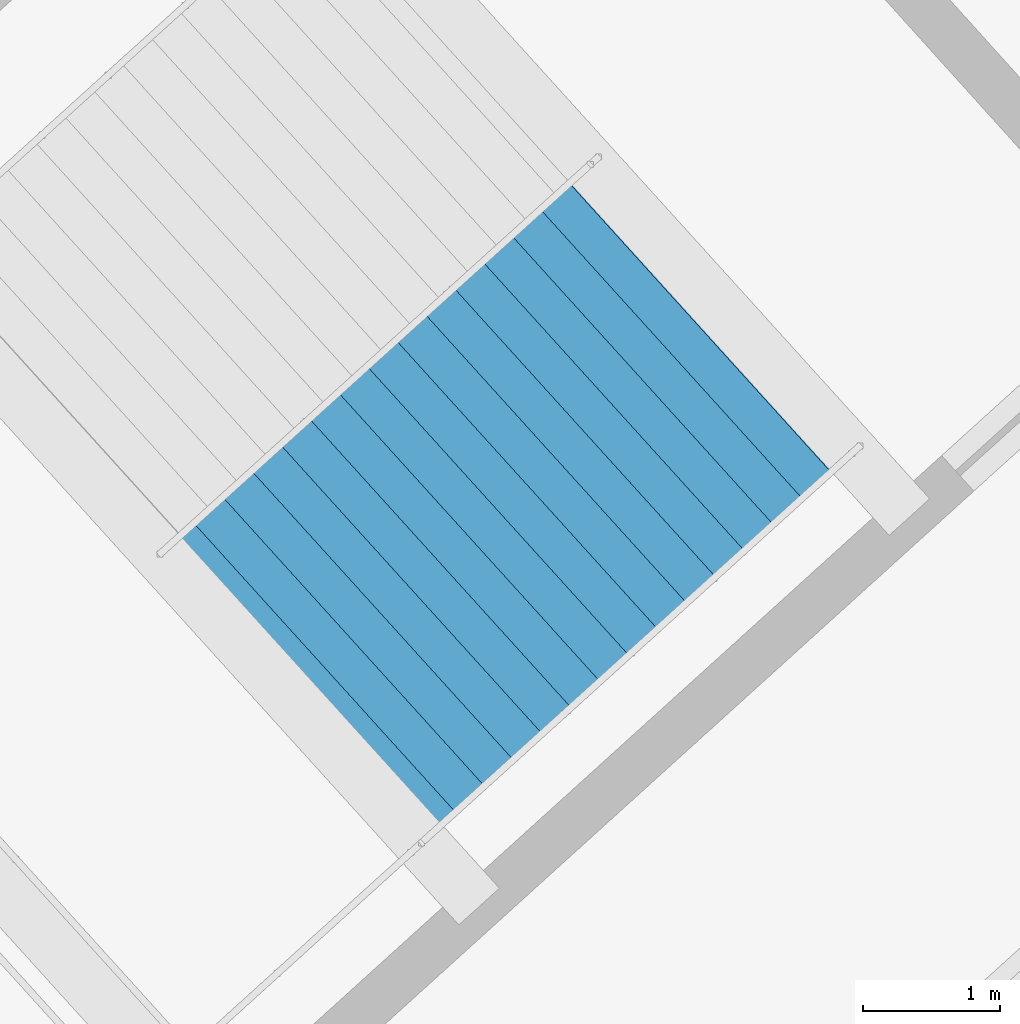
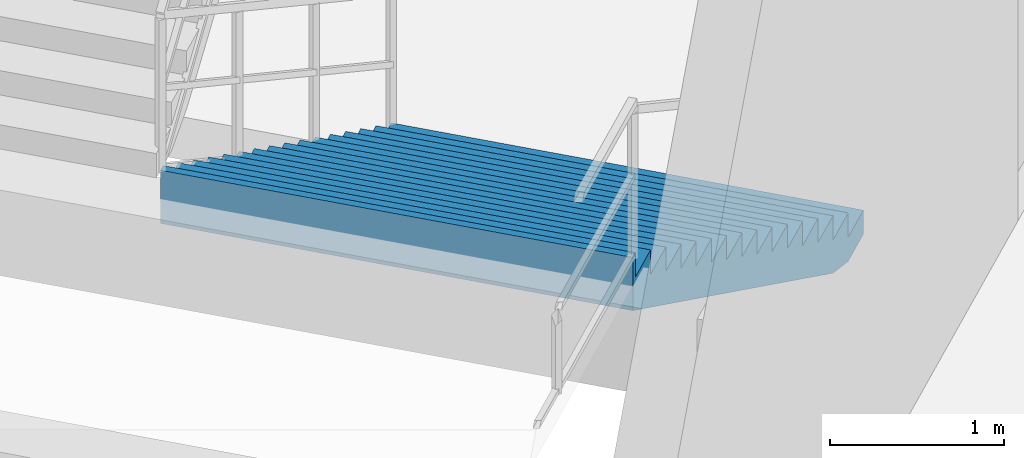
# One storey, part 159 of 186: 1 stair flight, 1 element without a shape of its own.
"""IFC4 building model written with IfcOpenShell, lengths in metres."""

from ifc_helpers import new_model, si_unit, direction, frame, origin, place, context, subcontext, project, spatial, polygons, material, type_object, element, aggregate, save


model = new_model("IFC4")

# Units and contexts
model_context = context("Model", 3, precision=1e-05, world=origin(), true_north=direction((0.0, 1.0)))
body_context = subcontext(model_context, "Body", "Model", "MODEL_VIEW")
ifc_project = project(units=[si_unit("LENGTHUNIT", "METRE"), si_unit("AREAUNIT", "SQUARE_METRE"), si_unit("VOLUMEUNIT", "CUBIC_METRE"), si_unit("PLANEANGLEUNIT", "RADIAN"), si_unit("MASSUNIT", "GRAM", prefix="KILO")], contexts=[model_context])

# Site, building, storey
site_placement = place(None, origin())
site = spatial("IfcSite", under=ifc_project, at=site_placement, CompositionType="ELEMENT")
building_placement = place(site_placement, origin())
building = spatial("IfcBuilding", under=site, at=building_placement, Name="Kazemori Nagisa Stadium", CompositionType="ELEMENT")
storey_placement = place(building_placement, frame((0.0, 0.0, 20.39990234375)))
storey = spatial("IfcBuildingStorey", under=building, at=storey_placement, Name="L04", CompositionType="ELEMENT", Elevation=20.39990234375)

# Stair, stair flight
ifc_material = material(Name="Concrete C36/45 (Fc36)", Category="concrete")
stair_type = type_object("IfcStairType", Name="Stair_CORE_32", PredefinedType="TWO_STRAIGHT_RUN_STAIR", material=ifc_material)
stair_placement = place(storey_placement, origin())
stair = element("IfcStair", 1, at=stair_placement, inside=storey, type_object=stair_type, Name="Exit stair ST02 L04", PredefinedType="TWO_STRAIGHT_RUN_STAIR")
stair_flight_type = type_object("IfcStairFlightType", Name="Flight_CORE_16", PredefinedType="STRAIGHT", material=ifc_material)
stair_flight_placement = place(storey_placement, frame((63.22412109375, 164.589599609375, 0.0), z_axis=(0.0, 0.0, 1.0), x_axis=(-0.741328742395, -0.671142083093, 0.0)))
stair_flight = element("IfcStairFlight", 2, at=stair_flight_placement, type_object=stair_flight_type, Name="Exit stair ST02 L04 flight 1", NumberOfRisers=16, NumberOfTreads=15, PredefinedType="STRAIGHT", RiserHeight=0.17, TreadLength=0.285, context=body_context, shape_type="Tessellation", body=[
    polygons([(0.0, -1.425048828125, 0.0), (0.0, -1.425048828125, 0.169921875), (0.284912109375, -1.425048828125, 0.169921875), (0.284912109375, -1.425048828125, 0.340087890625), (0.570068359375, -1.425048828125, 0.340087890625), (0.570068359375, -1.425048828125, 0.510009765625), (0.85498046875, -1.425048828125, 0.510009765625), (0.85498046875, -1.425048828125, 0.679931640625), (1.139892578125, -1.425048828125, 0.679931640625), (1.139892578125, -1.425048828125, 0.85009765625), (1.425048828125, -1.425048828125, 0.85009765625), (1.425048828125, -1.425048828125, 1.02001953125), (1.7099609375, -1.425048828125, 1.02001953125), (1.7099609375, -1.425048828125, 1.18994140625), (1.9951171875, -1.425048828125, 1.18994140625), (1.9951171875, -1.425048828125, 1.360107421875), (2.280029296875, -1.425048828125, 1.360107421875), (2.280029296875, -1.425048828125, 1.530029296875), (2.56494140625, -1.425048828125, 1.530029296875), (2.56494140625, -1.425048828125, 1.699951171875), (2.85009765625, -1.425048828125, 1.699951171875), (2.85009765625, -1.425048828125, 1.8701171875), (3.135009765625, -1.425048828125, 1.8701171875), (3.135009765625, -1.425048828125, 2.0400390625), (3.419921875, -1.425048828125, 2.0400390625), (3.419921875, -1.425048828125, 2.2099609375), (3.705078125, -1.425048828125, 2.2099609375), (3.705078125, -1.425048828125, 2.3798828125), (3.989990234375, -1.425048828125, 2.3798828125), (3.989990234375, -1.425048828125, 2.550048828125), (4.27490234375, -1.425048828125, 2.550048828125), (4.27490234375, -1.425048828125, 2.719970703125), (4.324951171875, -1.425048828125, 2.719970703125), (4.324951171875, -1.425048828125, 2.346923828125), (4.27490234375, -1.425048828125, 2.317138671875), (3.989990234375, -1.425048828125, 2.147216796875), (3.705078125, -1.425048828125, 1.977294921875), (3.419921875, -1.425048828125, 1.80712890625), (3.135009765625, -1.425048828125, 1.63720703125), (2.85009765625, -1.425048828125, 1.46728515625), (2.56494140625, -1.425048828125, 1.297119140625), (2.280029296875, -1.425048828125, 1.127197265625), (1.9951171875, -1.425048828125, 0.957275390625), (1.7099609375, -1.425048828125, 0.787109375), (1.425048828125, -1.425048828125, 0.6171875), (1.139892578125, -1.425048828125, 0.447265625), (0.85498046875, -1.425048828125, 0.277099609375), (0.570068359375, -1.425048828125, 0.107177734375), (0.284912109375, -1.425048828125, 0.0), (0.0, -0.08544921875, 0.0), (0.0, -0.08544921875, 0.169921875), (0.284912109375, -0.08544921875, 0.169921875), (0.284912109375, -0.08544921875, 0.340087890625), (0.570068359375, -0.08544921875, 0.340087890625), (0.570068359375, -0.08544921875, 0.510009765625), (0.85498046875, -0.08544921875, 0.510009765625), (0.85498046875, -0.08544921875, 0.679931640625), (1.139892578125, -0.08544921875, 0.679931640625), (1.139892578125, -0.08544921875, 0.85009765625), (1.425048828125, -0.08544921875, 0.85009765625), (1.425048828125, -0.08544921875, 1.02001953125), (1.7099609375, -0.08544921875, 1.02001953125), (1.7099609375, -0.08544921875, 1.18994140625), (1.9951171875, -0.08544921875, 1.18994140625), (1.9951171875, -0.08544921875, 1.360107421875), (2.280029296875, -0.08544921875, 1.360107421875), (2.280029296875, -0.08544921875, 1.530029296875), (2.56494140625, -0.08544921875, 1.530029296875), (2.56494140625, -0.08544921875, 1.699951171875), (2.85009765625, -0.08544921875, 1.699951171875), (2.85009765625, -0.08544921875, 1.8701171875), (3.135009765625, -0.08544921875, 1.8701171875), (3.135009765625, -0.08544921875, 2.0400390625), (3.419921875, -0.08544921875, 2.0400390625), (3.419921875, -0.08544921875, 2.2099609375), (3.705078125, -0.08544921875, 2.2099609375), (3.705078125, -0.08544921875, 2.3798828125), (3.989990234375, -0.08544921875, 2.3798828125), (3.989990234375, -0.08544921875, 2.550048828125), (4.27490234375, -0.08544921875, 2.550048828125), (4.27490234375, -0.08544921875, 2.719970703125), (4.324951171875, -0.08544921875, 2.719970703125), (4.324951171875, -0.08544921875, 2.346923828125), (4.27490234375, -0.08544921875, 2.317138671875), (3.989990234375, -0.08544921875, 2.147216796875), (3.705078125, -0.08544921875, 1.977294921875), (3.419921875, -0.08544921875, 1.80712890625), (3.135009765625, -0.08544921875, 1.63720703125), (2.85009765625, -0.08544921875, 1.46728515625), (2.56494140625, -0.08544921875, 1.297119140625), (2.280029296875, -0.08544921875, 1.127197265625), (1.9951171875, -0.08544921875, 0.957275390625), (1.7099609375, -0.08544921875, 0.787109375), (1.425048828125, -0.08544921875, 0.6171875), (1.139892578125, -0.08544921875, 0.447265625), (0.85498046875, -0.08544921875, 0.277099609375), (0.570068359375, -0.08544921875, 0.107177734375), (0.284912109375, -0.08544921875, 0.0), (0.0, 0.0, 0.0), (0.0, 0.0, 0.169921875), (0.284912109375, 0.0, 0.169921875), (0.284912109375, 0.0, 0.340087890625), (0.570068359375, 0.0, 0.340087890625), (0.570068359375, 0.0, 0.510009765625), (0.85498046875, 0.0, 0.510009765625), (0.85498046875, 0.0, 0.679931640625), (1.139892578125, 0.0, 0.679931640625), (1.139892578125, 0.0, 0.85009765625), (1.425048828125, 0.0, 0.85009765625), (1.425048828125, 0.0, 1.02001953125), (1.7099609375, 0.0, 1.02001953125), (1.7099609375, 0.0, 1.18994140625), (1.9951171875, 0.0, 1.18994140625), (1.9951171875, 0.0, 1.360107421875), (2.280029296875, 0.0, 1.360107421875), (2.280029296875, 0.0, 1.530029296875), (2.56494140625, 0.0, 1.530029296875), (2.56494140625, 0.0, 1.699951171875), (2.85009765625, 0.0, 1.699951171875), (2.85009765625, 0.0, 1.8701171875), (3.135009765625, 0.0, 1.8701171875), (3.135009765625, 0.0, 2.0400390625), (3.419921875, 0.0, 2.0400390625), (3.419921875, 0.0, 2.2099609375), (3.705078125, 0.0, 2.2099609375), (3.705078125, 0.0, 2.3798828125), (3.989990234375, 0.0, 2.3798828125), (3.989990234375, 0.0, 2.550048828125), (4.27490234375, 0.0, 2.550048828125), (4.27490234375, 0.0, 2.719970703125), (4.324951171875, 0.0, 2.719970703125), (4.324951171875, 0.0, 2.346923828125), (4.27490234375, 0.0, 2.317138671875), (3.989990234375, 0.0, 2.147216796875), (3.705078125, 0.0, 1.977294921875), (3.419921875, 0.0, 1.80712890625), (3.135009765625, 0.0, 1.63720703125), (2.85009765625, 0.0, 1.46728515625), (2.56494140625, 0.0, 1.297119140625), (2.280029296875, 0.0, 1.127197265625), (1.9951171875, 0.0, 0.957275390625), (1.7099609375, 0.0, 0.787109375), (1.425048828125, 0.0, 0.6171875), (1.139892578125, 0.0, 0.447265625), (0.85498046875, 0.0, 0.277099609375), (0.570068359375, 0.0, 0.107177734375), (0.284912109375, 0.0, 0.0), (0.0, 0.08544921875, 0.0), (0.0, 0.08544921875, 0.169921875), (0.284912109375, 0.08544921875, 0.169921875), (0.284912109375, 0.08544921875, 0.340087890625), (0.570068359375, 0.08544921875, 0.340087890625), (0.570068359375, 0.08544921875, 0.510009765625), (0.85498046875, 0.08544921875, 0.510009765625), (0.85498046875, 0.08544921875, 0.679931640625), (1.139892578125, 0.08544921875, 0.679931640625), (1.139892578125, 0.08544921875, 0.85009765625), (1.425048828125, 0.08544921875, 0.85009765625), (1.425048828125, 0.08544921875, 1.02001953125), (1.7099609375, 0.08544921875, 1.02001953125), (1.7099609375, 0.08544921875, 1.18994140625), (1.9951171875, 0.08544921875, 1.18994140625), (1.9951171875, 0.08544921875, 1.360107421875), (2.280029296875, 0.08544921875, 1.360107421875), (2.280029296875, 0.08544921875, 1.530029296875), (2.56494140625, 0.08544921875, 1.530029296875), (2.56494140625, 0.08544921875, 1.699951171875), (2.85009765625, 0.08544921875, 1.699951171875), (2.85009765625, 0.08544921875, 1.8701171875), (3.135009765625, 0.08544921875, 1.8701171875), (3.135009765625, 0.08544921875, 2.0400390625), (3.419921875, 0.08544921875, 2.0400390625), (3.419921875, 0.08544921875, 2.2099609375), (3.705078125, 0.08544921875, 2.2099609375), (3.705078125, 0.08544921875, 2.3798828125), (3.989990234375, 0.08544921875, 2.3798828125), (3.989990234375, 0.08544921875, 2.550048828125), (4.27490234375, 0.08544921875, 2.550048828125), (4.27490234375, 0.08544921875, 2.719970703125), (4.324951171875, 0.08544921875, 2.719970703125), (4.324951171875, 0.08544921875, 2.346923828125), (4.27490234375, 0.08544921875, 2.317138671875), (3.989990234375, 0.08544921875, 2.147216796875), (3.705078125, 0.08544921875, 1.977294921875), (3.419921875, 0.08544921875, 1.80712890625), (3.135009765625, 0.08544921875, 1.63720703125), (2.85009765625, 0.08544921875, 1.46728515625), (2.56494140625, 0.08544921875, 1.297119140625), (2.280029296875, 0.08544921875, 1.127197265625), (1.9951171875, 0.08544921875, 0.957275390625), (1.7099609375, 0.08544921875, 0.787109375), (1.425048828125, 0.08544921875, 0.6171875), (1.139892578125, 0.08544921875, 0.447265625), (0.85498046875, 0.08544921875, 0.277099609375), (0.570068359375, 0.08544921875, 0.107177734375), (0.284912109375, 0.08544921875, 0.0), (0.0, 1.425048828125, 0.0), (0.0, 1.425048828125, 0.169921875), (0.284912109375, 1.425048828125, 0.169921875), (0.284912109375, 1.425048828125, 0.340087890625), (0.570068359375, 1.425048828125, 0.340087890625), (0.570068359375, 1.425048828125, 0.510009765625), (0.85498046875, 1.425048828125, 0.510009765625), (0.85498046875, 1.425048828125, 0.679931640625), (1.139892578125, 1.425048828125, 0.679931640625), (1.139892578125, 1.425048828125, 0.85009765625), (1.425048828125, 1.425048828125, 0.85009765625), (1.425048828125, 1.425048828125, 1.02001953125), (1.7099609375, 1.425048828125, 1.02001953125), (1.7099609375, 1.425048828125, 1.18994140625), (1.9951171875, 1.425048828125, 1.18994140625), (1.9951171875, 1.425048828125, 1.360107421875), (2.280029296875, 1.425048828125, 1.360107421875), (2.280029296875, 1.425048828125, 1.530029296875), (2.56494140625, 1.425048828125, 1.530029296875), (2.56494140625, 1.425048828125, 1.699951171875), (2.85009765625, 1.425048828125, 1.699951171875), (2.85009765625, 1.425048828125, 1.8701171875), (3.135009765625, 1.425048828125, 1.8701171875), (3.135009765625, 1.425048828125, 2.0400390625), (3.419921875, 1.425048828125, 2.0400390625), (3.419921875, 1.425048828125, 2.2099609375), (3.705078125, 1.425048828125, 2.2099609375), (3.705078125, 1.425048828125, 2.3798828125), (3.989990234375, 1.425048828125, 2.3798828125), (3.989990234375, 1.425048828125, 2.550048828125), (4.27490234375, 1.425048828125, 2.550048828125), (4.27490234375, 1.425048828125, 2.719970703125), (4.324951171875, 1.425048828125, 2.719970703125), (4.324951171875, 1.425048828125, 2.346923828125), (4.27490234375, 1.425048828125, 2.317138671875), (3.989990234375, 1.425048828125, 2.147216796875), (3.705078125, 1.425048828125, 1.977294921875), (3.419921875, 1.425048828125, 1.80712890625), (3.135009765625, 1.425048828125, 1.63720703125), (2.85009765625, 1.425048828125, 1.46728515625), (2.56494140625, 1.425048828125, 1.297119140625), (2.280029296875, 1.425048828125, 1.127197265625), (1.9951171875, 1.425048828125, 0.957275390625), (1.7099609375, 1.425048828125, 0.787109375), (1.425048828125, 1.425048828125, 0.6171875), (1.139892578125, 1.425048828125, 0.447265625), (0.85498046875, 1.425048828125, 0.277099609375), (0.570068359375, 1.425048828125, 0.107177734375), (0.284912109375, 1.425048828125, 0.0)], [[[1, 2, 51]], [[1, 51, 50]], [[2, 3, 52]], [[2, 52, 51]], [[3, 4, 53]], [[3, 53, 52]], [[4, 5, 54]], [[4, 54, 53]], [[5, 6, 55]], [[5, 55, 54]], [[6, 7, 56]], [[6, 56, 55]], [[7, 8, 57]], [[7, 57, 56]], [[8, 9, 58]], [[8, 58, 57]], [[9, 10, 59]], [[9, 59, 58]], [[10, 11, 60]], [[10, 60, 59]], [[11, 12, 61]], [[11, 61, 60]], [[12, 13, 62]], [[12, 62, 61]], [[13, 14, 63]], [[13, 63, 62]], [[14, 15, 64]], [[14, 64, 63]], [[15, 16, 65]], [[15, 65, 64]], [[16, 17, 66]], [[16, 66, 65]], [[17, 18, 67]], [[17, 67, 66]], [[18, 19, 68]], [[18, 68, 67]], [[19, 20, 69]], [[19, 69, 68]], [[20, 21, 70]], [[20, 70, 69]], [[21, 22, 71]], [[21, 71, 70]], [[22, 23, 72]], [[22, 72, 71]], [[23, 24, 73]], [[23, 73, 72]], [[24, 25, 74]], [[24, 74, 73]], [[25, 26, 75]], [[25, 75, 74]], [[26, 27, 76]], [[26, 76, 75]], [[27, 28, 77]], [[27, 77, 76]], [[28, 29, 78]], [[28, 78, 77]], [[29, 30, 79]], [[29, 79, 78]], [[30, 31, 80]], [[30, 80, 79]], [[31, 32, 81]], [[31, 81, 80]], [[32, 33, 82]], [[32, 82, 81]], [[33, 34, 83]], [[33, 83, 82]], [[34, 35, 84]], [[34, 84, 83]], [[35, 36, 85]], [[35, 85, 84]], [[36, 37, 86]], [[36, 86, 85]], [[37, 38, 87]], [[37, 87, 86]], [[38, 39, 88]], [[38, 88, 87]], [[39, 40, 89]], [[39, 89, 88]], [[40, 41, 90]], [[40, 90, 89]], [[41, 42, 91]], [[41, 91, 90]], [[42, 43, 92]], [[42, 92, 91]], [[43, 44, 93]], [[43, 93, 92]], [[44, 45, 94]], [[44, 94, 93]], [[45, 46, 95]], [[45, 95, 94]], [[46, 47, 96]], [[46, 96, 95]], [[47, 48, 97]], [[47, 97, 96]], [[48, 49, 98]], [[48, 98, 97]], [[49, 1, 50]], [[49, 50, 98]], [[50, 51, 100]], [[50, 100, 99]], [[51, 52, 101]], [[51, 101, 100]], [[52, 53, 102]], [[52, 102, 101]], [[53, 54, 103]], [[53, 103, 102]], [[54, 55, 104]], [[54, 104, 103]], [[55, 56, 105]], [[55, 105, 104]], [[56, 57, 106]], [[56, 106, 105]], [[57, 58, 107]], [[57, 107, 106]], [[58, 59, 108]], [[58, 108, 107]], [[59, 60, 109]], [[59, 109, 108]], [[60, 61, 110]], [[60, 110, 109]], [[61, 62, 111]], [[61, 111, 110]], [[62, 63, 112]], [[62, 112, 111]], [[63, 64, 113]], [[63, 113, 112]], [[64, 65, 114]], [[64, 114, 113]], [[65, 66, 115]], [[65, 115, 114]], [[66, 67, 116]], [[66, 116, 115]], [[67, 68, 117]], [[67, 117, 116]], [[68, 69, 118]], [[68, 118, 117]], [[69, 70, 119]], [[69, 119, 118]], [[70, 71, 120]], [[70, 120, 119]], [[71, 72, 121]], [[71, 121, 120]], [[72, 73, 122]], [[72, 122, 121]], [[73, 74, 123]], [[73, 123, 122]], [[74, 75, 124]], [[74, 124, 123]], [[75, 76, 125]], [[75, 125, 124]], [[76, 77, 126]], [[76, 126, 125]], [[77, 78, 127]], [[77, 127, 126]], [[78, 79, 128]], [[78, 128, 127]], [[79, 80, 129]], [[79, 129, 128]], [[80, 81, 130]], [[80, 130, 129]], [[81, 82, 131]], [[81, 131, 130]], [[82, 83, 132]], [[82, 132, 131]], [[83, 84, 133]], [[83, 133, 132]], [[84, 85, 134]], [[84, 134, 133]], [[85, 86, 135]], [[85, 135, 134]], [[86, 87, 136]], [[86, 136, 135]], [[87, 88, 137]], [[87, 137, 136]], [[88, 89, 138]], [[88, 138, 137]], [[89, 90, 139]], [[89, 139, 138]], [[90, 91, 140]], [[90, 140, 139]], [[91, 92, 141]], [[91, 141, 140]], [[92, 93, 142]], [[92, 142, 141]], [[93, 94, 143]], [[93, 143, 142]], [[94, 95, 144]], [[94, 144, 143]], [[95, 96, 145]], [[95, 145, 144]], [[96, 97, 146]], [[96, 146, 145]], [[97, 98, 147]], [[97, 147, 146]], [[98, 50, 99]], [[98, 99, 147]], [[99, 100, 149]], [[99, 149, 148]], [[100, 101, 150]], [[100, 150, 149]], [[101, 102, 151]], [[101, 151, 150]], [[102, 103, 152]], [[102, 152, 151]], [[103, 104, 153]], [[103, 153, 152]], [[104, 105, 154]], [[104, 154, 153]], [[105, 106, 155]], [[105, 155, 154]], [[106, 107, 156]], [[106, 156, 155]], [[107, 108, 157]], [[107, 157, 156]], [[108, 109, 158]], [[108, 158, 157]], [[109, 110, 159]], [[109, 159, 158]], [[110, 111, 160]], [[110, 160, 159]], [[111, 112, 161]], [[111, 161, 160]], [[112, 113, 162]], [[112, 162, 161]], [[113, 114, 163]], [[113, 163, 162]], [[114, 115, 164]], [[114, 164, 163]], [[115, 116, 165]], [[115, 165, 164]], [[116, 117, 166]], [[116, 166, 165]], [[117, 118, 167]], [[117, 167, 166]], [[118, 119, 168]], [[118, 168, 167]], [[119, 120, 169]], [[119, 169, 168]], [[120, 121, 170]], [[120, 170, 169]], [[121, 122, 171]], [[121, 171, 170]], [[122, 123, 172]], [[122, 172, 171]], [[123, 124, 173]], [[123, 173, 172]], [[124, 125, 174]], [[124, 174, 173]], [[125, 126, 175]], [[125, 175, 174]], [[126, 127, 176]], [[126, 176, 175]], [[127, 128, 177]], [[127, 177, 176]], [[128, 129, 178]], [[128, 178, 177]], [[129, 130, 179]], [[129, 179, 178]], [[130, 131, 180]], [[130, 180, 179]], [[131, 132, 181]], [[131, 181, 180]], [[132, 133, 182]], [[132, 182, 181]], [[133, 134, 183]], [[133, 183, 182]], [[134, 135, 184]], [[134, 184, 183]], [[135, 136, 185]], [[135, 185, 184]], [[136, 137, 186]], [[136, 186, 185]], [[137, 138, 187]], [[137, 187, 186]], [[138, 139, 188]], [[138, 188, 187]], [[139, 140, 189]], [[139, 189, 188]], [[140, 141, 190]], [[140, 190, 189]], [[141, 142, 191]], [[141, 191, 190]], [[142, 143, 192]], [[142, 192, 191]], [[143, 144, 193]], [[143, 193, 192]], [[144, 145, 194]], [[144, 194, 193]], [[145, 146, 195]], [[145, 195, 194]], [[146, 147, 196]], [[146, 196, 195]], [[147, 99, 148]], [[147, 148, 196]], [[148, 149, 198]], [[148, 198, 197]], [[149, 150, 199]], [[149, 199, 198]], [[150, 151, 200]], [[150, 200, 199]], [[151, 152, 201]], [[151, 201, 200]], [[152, 153, 202]], [[152, 202, 201]], [[153, 154, 203]], [[153, 203, 202]], [[154, 155, 204]], [[154, 204, 203]], [[155, 156, 205]], [[155, 205, 204]], [[156, 157, 206]], [[156, 206, 205]], [[157, 158, 207]], [[157, 207, 206]], [[158, 159, 208]], [[158, 208, 207]], [[159, 160, 209]], [[159, 209, 208]], [[160, 161, 210]], [[160, 210, 209]], [[161, 162, 211]], [[161, 211, 210]], [[162, 163, 212]], [[162, 212, 211]], [[163, 164, 213]], [[163, 213, 212]], [[164, 165, 214]], [[164, 214, 213]], [[165, 166, 215]], [[165, 215, 214]], [[166, 167, 216]], [[166, 216, 215]], [[167, 168, 217]], [[167, 217, 216]], [[168, 169, 218]], [[168, 218, 217]], [[169, 170, 219]], [[169, 219, 218]], [[170, 171, 220]], [[170, 220, 219]], [[171, 172, 221]], [[171, 221, 220]], [[172, 173, 222]], [[172, 222, 221]], [[173, 174, 223]], [[173, 223, 222]], [[174, 175, 224]], [[174, 224, 223]], [[175, 176, 225]], [[175, 225, 224]], [[176, 177, 226]], [[176, 226, 225]], [[177, 178, 227]], [[177, 227, 226]], [[178, 179, 228]], [[178, 228, 227]], [[179, 180, 229]], [[179, 229, 228]], [[180, 181, 230]], [[180, 230, 229]], [[181, 182, 231]], [[181, 231, 230]], [[182, 183, 232]], [[182, 232, 231]], [[183, 184, 233]], [[183, 233, 232]], [[184, 185, 234]], [[184, 234, 233]], [[185, 186, 235]], [[185, 235, 234]], [[186, 187, 236]], [[186, 236, 235]], [[187, 188, 237]], [[187, 237, 236]], [[188, 189, 238]], [[188, 238, 237]], [[189, 190, 239]], [[189, 239, 238]], [[190, 191, 240]], [[190, 240, 239]], [[191, 192, 241]], [[191, 241, 240]], [[192, 193, 242]], [[192, 242, 241]], [[193, 194, 243]], [[193, 243, 242]], [[194, 195, 244]], [[194, 244, 243]], [[195, 196, 245]], [[195, 245, 244]], [[196, 148, 197]], [[196, 197, 245]], [[3, 2, 1]], [[197, 198, 199]], [[49, 3, 1]], [[197, 199, 245]], [[48, 3, 49]], [[245, 199, 244]], [[5, 3, 48]], [[244, 199, 201]], [[5, 4, 3]], [[199, 200, 201]], [[47, 5, 48]], [[244, 201, 243]], [[7, 5, 47]], [[243, 201, 203]], [[7, 6, 5]], [[201, 202, 203]], [[46, 7, 47]], [[243, 203, 242]], [[9, 7, 46]], [[242, 203, 205]], [[9, 8, 7]], [[203, 204, 205]], [[45, 9, 46]], [[242, 205, 241]], [[11, 9, 45]], [[241, 205, 207]], [[11, 10, 9]], [[205, 206, 207]], [[44, 11, 45]], [[241, 207, 240]], [[13, 11, 44]], [[240, 207, 209]], [[13, 12, 11]], [[207, 208, 209]], [[43, 13, 44]], [[240, 209, 239]], [[15, 13, 43]], [[239, 209, 211]], [[15, 14, 13]], [[209, 210, 211]], [[42, 15, 43]], [[239, 211, 238]], [[17, 15, 42]], [[238, 211, 213]], [[17, 16, 15]], [[211, 212, 213]], [[41, 17, 42]], [[238, 213, 237]], [[19, 17, 41]], [[237, 213, 215]], [[19, 18, 17]], [[213, 214, 215]], [[40, 19, 41]], [[237, 215, 236]], [[21, 19, 40]], [[236, 215, 217]], [[21, 20, 19]], [[215, 216, 217]], [[39, 21, 40]], [[236, 217, 235]], [[23, 21, 39]], [[235, 217, 219]], [[23, 22, 21]], [[217, 218, 219]], [[38, 23, 39]], [[235, 219, 234]], [[25, 23, 38]], [[234, 219, 221]], [[25, 24, 23]], [[219, 220, 221]], [[37, 25, 38]], [[234, 221, 233]], [[27, 25, 37]], [[233, 221, 223]], [[27, 26, 25]], [[221, 222, 223]], [[36, 27, 37]], [[233, 223, 232]], [[29, 27, 36]], [[232, 223, 225]], [[29, 28, 27]], [[223, 224, 225]], [[35, 29, 36]], [[232, 225, 231]], [[31, 29, 35]], [[231, 225, 227]], [[31, 30, 29]], [[225, 226, 227]], [[34, 31, 35]], [[231, 227, 230]], [[33, 31, 34]], [[230, 227, 229]], [[33, 32, 31]], [[227, 228, 229]]], closed=True),
])
aggregate(stair, [stair_flight])

save(model, "model.ifc")
